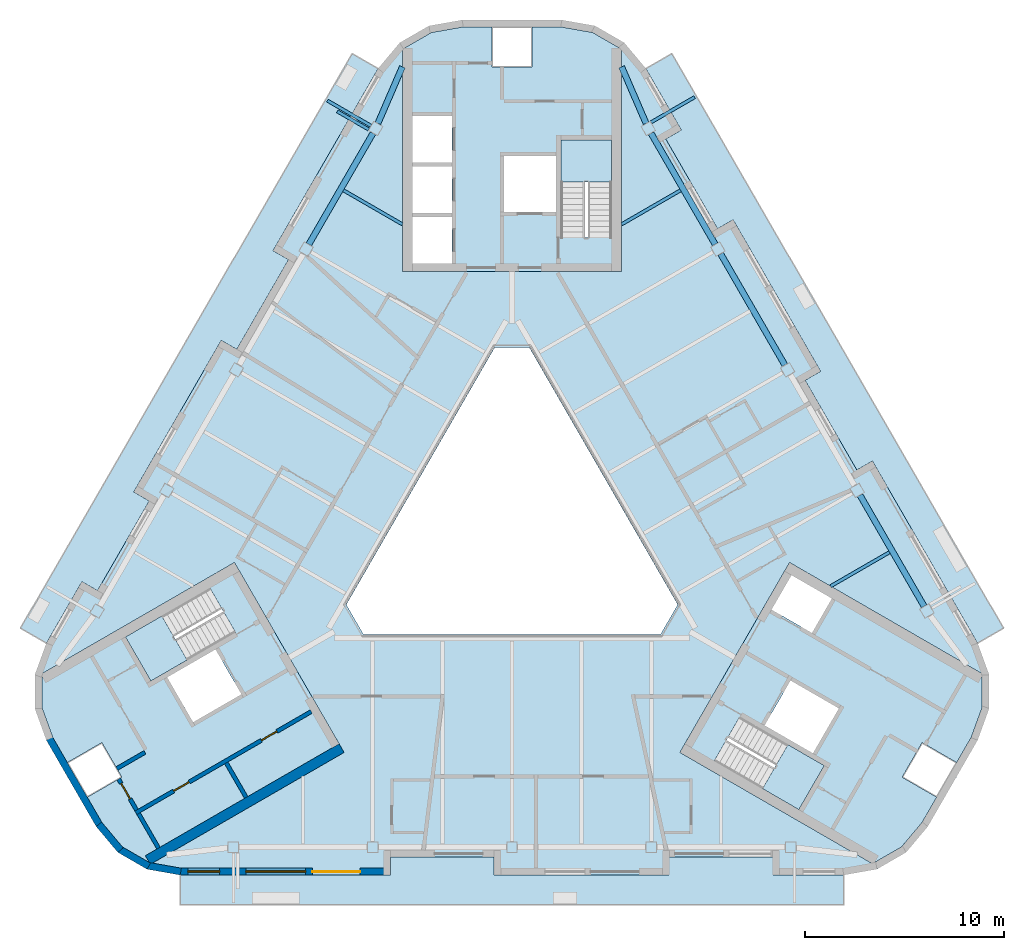
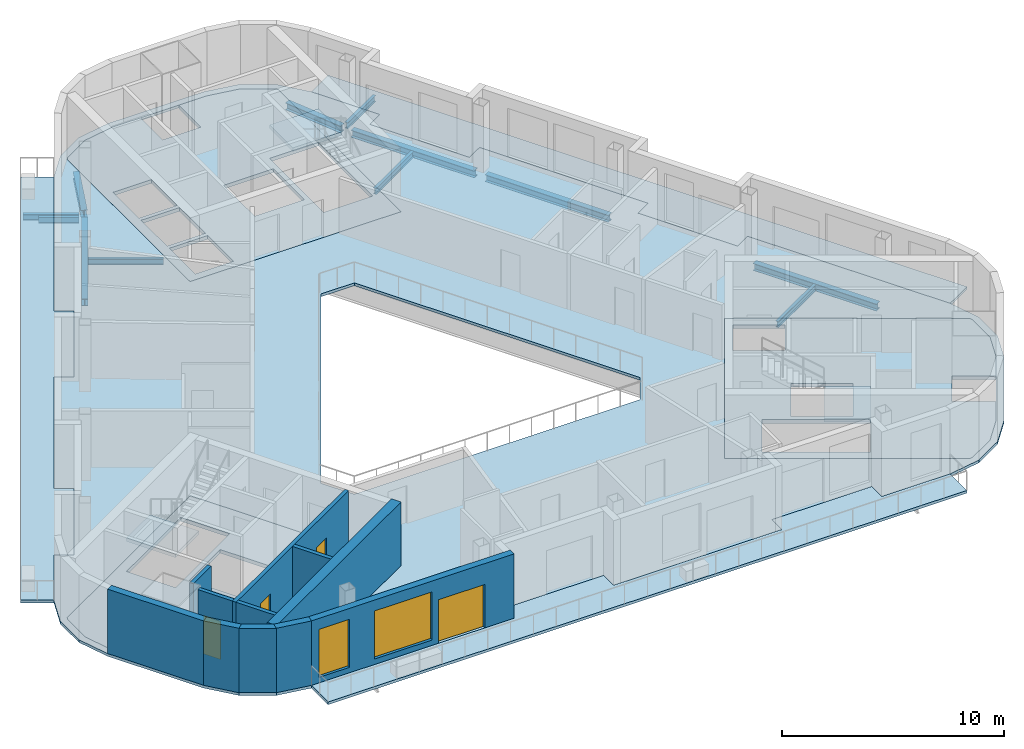
# One storey, part 2 of 12: 12 beams, 11 walls, 10 slabs, 4 doors, 2 windows, 6 openings, 3 elements without a shape of their own.
"""IFC4 building model written with IfcOpenShell, lengths in metres."""

from ifc_helpers import new_model, si_unit, direction, frame, frame_2d, origin, origin_2d, place, context, subcontext, project, spatial, polyline, rectangle, i_section, outline, extrude, material, layer, layer_set, material_profile, profile_set, type_object, element, fill, aggregate, save


model = new_model("IFC4")

# Units and contexts
model_context = context("Model", 3, precision=1e-05, world=origin(), true_north=direction((0.0, 1.0)))
body_context = subcontext(model_context, "Body", "Model", "MODEL_VIEW")
ifc_project = project(units=[si_unit("LENGTHUNIT", "METRE"), si_unit("AREAUNIT", "SQUARE_METRE"), si_unit("VOLUMEUNIT", "CUBIC_METRE"), si_unit("PLANEANGLEUNIT", "RADIAN"), si_unit("MASSUNIT", "GRAM", prefix="KILO")], contexts=[model_context])

# Site, building, storey
site_placement = place(None, origin())
site = spatial("IfcSite", under=ifc_project, at=site_placement, CompositionType="ELEMENT")
building_placement = place(site_placement, origin())
building = spatial("IfcBuilding", under=site, at=building_placement, Name="Apuvela Tower Hotel", CompositionType="ELEMENT")
storey_placement = place(building_placement, frame((0.0, 0.0, 294.800048828125)))
storey = spatial("IfcBuildingStorey", under=building, at=storey_placement, Name="L73", CompositionType="ELEMENT", Elevation=294.800048828125)

# Beams
ifc_material_1 = material(Name="Steel S355", Category="steel")
ifc_material_profile_1 = material_profile(ifc_material_1, i_section(OverallWidth=0.159912109375, OverallDepth=0.330078125, WebThickness=0.007568359375, FlangeThickness=0.011474609375, at=origin_2d()), Name="IPE 330")
ifc_profile_set_1 = profile_set([ifc_material_profile_1], Name="Steel S355")
beam_type_1 = type_object("IfcBeamType", Name="ENV-BALCONY-BEAM-IPE330", PredefinedType="BEAM", material=ifc_profile_set_1)
for number, where, z_axis, x_axis, name in (
    (1, (6.97412109375, 20.3935546875, -0.31494140625), (0.866039067339, 0.499976333282, 0.0), (-0.499976333282, 0.866039067339, 0.0), "Balcony cantilever beam NE3 L73"),
    (2, (-7.07421875, 20.220458984375, -0.31494140625), (-0.866039067339, 0.499976333282, 0.0), (-0.499976333282, -0.866039067339, 0.0), "Balcony cantilever beam NW1 L73"),
):
    element("IfcBeam", number, at=place(storey_placement, frame(where, z_axis=z_axis, x_axis=x_axis)), inside=storey, type_object=beam_type_1, Name=name, PredefinedType="BEAM", context=body_context, shape_type="SweptSolid", body=[
        extrude(i_section(OverallWidth=0.159912109375, OverallDepth=0.330078125, WebThickness=0.007568359375, FlangeThickness=0.011474609375, at=origin_2d()), origin(), (0.0, 0.0, 1.0), 2.52490234375),
    ])
beam_placement = place(storey_placement, frame((-7.18408203125, 20.02978515625, -0.31494140625), z_axis=(-0.866011828767, 0.500023511883, 0.0), x_axis=(-0.500023511883, -0.866011828767, 0.0)))
element("IfcBeam", 3, at=beam_placement, inside=storey, type_object=beam_type_1, Name="Balcony cantilever beam NW2 L73", PredefinedType="BEAM", context=body_context, shape_type="SweptSolid", body=[
    extrude(i_section(OverallWidth=0.159912109375, OverallDepth=0.330078125, WebThickness=0.007568359375, FlangeThickness=0.011474609375, at=origin_2d()), origin(), (0.0, 0.0, 1.0), 1.8251953125),
])
ifc_material_profile_2 = material_profile(ifc_material_1, i_section(OverallWidth=0.159912109375, OverallDepth=0.330078125, WebThickness=0.007568359375, FlangeThickness=0.011474609375, at=origin_2d()), Name="IPE 330")
ifc_profile_set_2 = profile_set([ifc_material_profile_2], Name="Steel S355")
beam_type_2 = type_object("IfcBeamType", Name="STR-B floor beam IPE 330", PredefinedType="BEAM", material=ifc_profile_set_2)
for number, where, z_axis, x_axis, name in (
    (4, (18.93359375, -1.170654296875, -0.31494140625), (-0.866027000698, -0.499997234054, 0.0), (0.499997234054, -0.866027000698, 0.0), "Floor beam B1 NE2"),
    (5, (8.452880859375, 16.982421875, -0.31494140625), (-0.866027000698, -0.499997234054, 0.0), (0.499997234054, -0.866027000698, 0.0), "Floor beam B1 NE8"),
    (6, (-8.452880859375, 16.982421875, -0.31494140625), (0.866027000698, -0.499997234054, 0.0), (0.499997234054, 0.866027000698, 0.0), "Floor beam B1 NW2"),
):
    element("IfcBeam", number, at=place(storey_placement, frame(where, z_axis=z_axis, x_axis=x_axis)), inside=storey, type_object=beam_type_2, Name=name, PredefinedType="BEAM", context=body_context, shape_type="SweptSolid", body=[
        extrude(i_section(OverallWidth=0.159912109375, OverallDepth=0.330078125, WebThickness=0.007568359375, FlangeThickness=0.011474609375, at=origin_2d()), origin(), (0.0, 0.0, 1.0), 3.40966796875),
    ])
ifc_material_profile_3 = material_profile(ifc_material_1, i_section(OverallWidth=0.300048828125, OverallDepth=0.389892578125, WebThickness=0.010986328125, FlangeThickness=0.01904296875, at=origin_2d()), Name="HE 400 A")
ifc_profile_set_3 = profile_set([ifc_material_profile_3], Name="Steel S355")
beam_type_3 = type_object("IfcBeamType", Name="STR-SB spandrel beam HE 400 A", PredefinedType="SPANDREL", material=ifc_profile_set_3)
for number, where, z_axis, x_axis, name in (
    (7, (20.6728515625, -3.883056640625, -0.344970703125), (-0.500022299258, 0.866012528919, 0.0), (-0.866012528919, -0.500022299258, 0.0), "Spandrel beam SB4 NE1"),
    (8, (13.685791015625, 8.218994140625, -0.344970703125), (-0.500022299258, 0.866012528919, 0.0), (-0.866012528919, -0.500022299258, 0.0), "Spandrel beam SB4 NE3"),
):
    element("IfcBeam", number, at=place(storey_placement, frame(where, z_axis=z_axis, x_axis=x_axis)), inside=storey, type_object=beam_type_3, Name=name, PredefinedType="SPANDREL", context=body_context, shape_type="SweptSolid", body=[
        extrude(i_section(OverallWidth=0.300048828125, OverallDepth=0.389892578125, WebThickness=0.010986328125, FlangeThickness=0.01904296875, at=origin_2d()), origin(), (0.0, 0.0, 1.0), 6.437255859375),
    ])
for number, where, z_axis, x_axis, name in (
    (9, (10.192138671875, 14.27001953125, -0.344970703125), (-0.499993854458, 0.866028951885, 0.0), (-0.866028951885, -0.499993854458, 0.0), "Spandrel beam SB4 NE4"),
    (10, (-6.9736328125, 19.8447265625, -0.344970703125), (-0.499993854458, -0.866028951885, 0.0), (0.866028951885, -0.499993854458, 0.0), "Spandrel beam SB4 NW1"),
):
    element("IfcBeam", number, at=place(storey_placement, frame(where, z_axis=z_axis, x_axis=x_axis)), inside=storey, type_object=beam_type_3, Name=name, PredefinedType="SPANDREL", context=body_context, shape_type="SweptSolid", body=[
        extrude(i_section(OverallWidth=0.300048828125, OverallDepth=0.389892578125, WebThickness=0.010986328125, FlangeThickness=0.01904296875, at=origin_2d()), origin(), (0.0, 0.0, 1.0), 6.43701171875),
    ])
for number, where, z_axis, x_axis, name in (
    (11, (6.726318359375, 20.3369140625, -0.344970703125), (-0.396643234527, 0.917972845189, 0.0), (-0.917972845189, -0.396643234527, 0.0), "Spandrel beam SB4 NE5-N"),
    (12, (-6.726318359375, 20.3369140625, -0.344970703125), (0.396643234527, 0.917972845189, 0.0), (-0.917972845189, 0.396643234527, 0.0), "Spandrel beam SB4 NW1-N"),
):
    element("IfcBeam", number, at=place(storey_placement, frame(where, z_axis=z_axis, x_axis=x_axis)), inside=storey, type_object=beam_type_3, Name=name, PredefinedType="SPANDREL", context=body_context, shape_type="SweptSolid", body=[
        extrude(i_section(OverallWidth=0.300048828125, OverallDepth=0.389892578125, WebThickness=0.010986328125, FlangeThickness=0.01904296875, at=origin_2d()), origin(), (0.0, 0.0, 1.0), 3.091796875),
    ])

# Slabs
ifc_material_2 = material(Name="Concrete C50/60", Category="concrete")
ifc_layer_1 = layer(ifc_material_2, 0.199951171875)
ifc_layer_set_1 = layer_set([ifc_layer_1], Name="COR-FLOOR-200")
slab_type_1 = type_object("IfcSlabType", Name="COR-FLOOR-200", PredefinedType="FLOOR", material=ifc_layer_set_1)
slab_1_placement = place(storey_placement, frame((0.0, 0.0, -0.199951171875)))
element("IfcSlab", 13, at=slab_1_placement, inside=storey, type_object=slab_type_1, Name="Core floor N", PredefinedType="FLOOR", context=body_context, shape_type="SweptSolid", body=[
    extrude(outline(polyline([(5.5, 23.99609375), (5.400390625, 24.11474609375), (4.044189453125, 24.897705078125), (2.471435546875, 25.175048828125), (1.0, 25.175048828125), (1.0, 23.175048828125), (-1.0, 23.175048828125), (-1.0, 25.175048828125), (-2.471435546875, 25.175048828125), (-4.044189453125, 24.897705078125), (-5.400390625, 24.11474609375), (-5.5, 23.99609375), (-5.5, 12.89990234375), (5.5, 12.89990234375), (5.5, 23.99609375)]), holes=[polyline([(-3.0, 13.300048828125), (-5.0, 13.300048828125), (-5.0, 15.639892578125), (-3.0, 15.639892578125), (-3.0, 13.300048828125)]), polyline([(-3.0, 15.840087890625), (-5.0, 15.840087890625), (-5.0, 18.179931640625), (-3.0, 18.179931640625), (-3.0, 15.840087890625)]), polyline([(5.0, 14.60595703125), (2.449951171875, 14.60595703125), (2.449951171875, 19.5), (5.0, 19.5), (5.0, 14.60595703125)]), polyline([(2.199951171875, 18.699951171875), (2.199951171875, 15.89990234375), (-0.39990234375, 15.89990234375), (-0.39990234375, 18.699951171875), (2.199951171875, 18.699951171875)]), polyline([(-3.0, 20.719970703125), (-3.0, 18.3798828125), (-5.0, 18.3798828125), (-5.0, 20.719970703125), (-3.0, 20.719970703125)])]), origin(), (0.0, 0.0, 1.0), 0.199951171875),
])
slab_2_placement = place(storey_placement, frame((0.0, 0.0, -0.199951171875)))
element("IfcSlab", 14, at=slab_2_placement, inside=storey, type_object=slab_type_1, Name="Core floor SW", PredefinedType="FLOOR", context=body_context, shape_type="SweptSolid", body=[
    extrude(outline(polyline([(-23.53125, -7.23486328125), (-23.584228515625, -7.38037109375), (-23.584228515625, -8.9462890625), (-23.0380859375, -10.447265625), (-22.30224609375, -11.721435546875), (-20.5703125, -10.721435546875), (-19.5703125, -12.45361328125), (-21.30224609375, -13.45361328125), (-20.56640625, -14.727783203125), (-19.539794921875, -15.951416015625), (-18.183837890625, -16.734375), (-18.03125, -16.76123046875), (-8.421630859375, -11.213134765625), (-13.921630859375, -1.68701171875), (-23.53125, -7.23486328125)]), holes=[polyline([(-13.874267578125, -5.18115234375), (-18.112548828125, -7.628173828125), (-19.387451171875, -5.419921875), (-15.149169921875, -2.972900390625), (-13.874267578125, -5.18115234375)]), polyline([(-13.56982421875, -8.29638671875), (-15.99462890625, -9.6962890625), (-17.294677734375, -7.444580078125), (-14.869873046875, -6.044677734375), (-13.56982421875, -8.29638671875)])]), origin(), (0.0, 0.0, 1.0), 0.199951171875),
])
slab_3_placement = place(storey_placement, frame((0.0, 0.0, -0.199951171875)))
element("IfcSlab", 15, at=slab_3_placement, inside=storey, type_object=slab_type_1, Name="Core floor SE", PredefinedType="FLOOR", context=body_context, shape_type="SweptSolid", body=[
    extrude(outline(polyline([(18.03125, -16.76123046875), (18.183837890625, -16.734375), (19.539794921875, -15.951416015625), (20.56640625, -14.727783203125), (21.30224609375, -13.45361328125), (19.5703125, -12.45361328125), (20.5703125, -10.721435546875), (22.30224609375, -11.721435546875), (23.0380859375, -10.447265625), (23.584228515625, -8.9462890625), (23.584228515625, -7.38037109375), (23.53125, -7.23486328125), (13.921630859375, -1.68701171875), (8.421630859375, -11.213134765625), (18.03125, -16.76123046875)]), holes=[polyline([(14.01806640625, -2.31982421875), (16.044677734375, -3.489990234375), (15.044677734375, -5.221923828125), (13.01806640625, -4.052001953125), (14.01806640625, -2.31982421875)]), polyline([(10.149169921875, -11.633056640625), (11.42431640625, -9.4248046875), (15.66259765625, -11.871826171875), (14.387451171875, -14.080078125), (10.149169921875, -11.633056640625)]), polyline([(12.669921875, -9.855224609375), (13.9697265625, -7.603515625), (16.394775390625, -9.003662109375), (15.0947265625, -11.25537109375), (12.669921875, -9.855224609375)])]), origin(), (0.0, 0.0, 1.0), 0.199951171875),
])

# Stair, slab
stair_type = type_object("IfcStairType", Name="COR-STAIR-22R", PredefinedType="HALF_TURN_STAIR", material=ifc_material_2)
stair_1_placement = place(storey_placement, origin())
stair_1 = element("IfcStair", 16, at=stair_1_placement, inside=storey, type_object=stair_type, Name="L73 Exit stair ST1", PredefinedType="HALF_TURN_STAIR")
ifc_layer_2 = layer(ifc_material_2, 0.199951171875)
ifc_layer_set_2 = layer_set([ifc_layer_2], Name="COR-LANDING-200")
slab_type_2 = type_object("IfcSlabType", Name="COR-LANDING-200", PredefinedType="LANDING", material=ifc_layer_set_2)
slab_4_placement = place(storey_placement, frame((0.0, 0.0, 1.64990234375)))
slab_4 = element("IfcSlab", 17, at=slab_4_placement, type_object=slab_type_2, Name="ST1 landing 1", PredefinedType="LANDING", context=body_context, shape_type="SweptSolid", body=[
    extrude(outline(polyline([(5.0, 17.39404296875), (5.0, 19.5), (2.449951171875, 19.5), (2.449951171875, 17.39404296875), (5.0, 17.39404296875)])), origin(), (0.0, 0.0, 1.0), 0.199951171875),
])
aggregate(stair_1, [slab_4])

stair_2_placement = place(storey_placement, origin())
stair_2 = element("IfcStair", 18, at=stair_2_placement, inside=storey, type_object=stair_type, Name="L73 Exit stair ST2", PredefinedType="HALF_TURN_STAIR")
slab_5_placement = place(storey_placement, frame((0.0, 0.0, 1.64990234375)))
slab_5 = element("IfcSlab", 19, at=slab_5_placement, type_object=slab_type_2, Name="ST2 landing 1", PredefinedType="LANDING", context=body_context, shape_type="SweptSolid", body=[
    extrude(outline(polyline([(-17.563720703125, -4.366943359375), (-19.387451171875, -5.419921875), (-18.112548828125, -7.628173828125), (-16.28857421875, -6.5751953125), (-17.563720703125, -4.366943359375)])), origin(), (0.0, 0.0, 1.0), 0.199951171875),
])
aggregate(stair_2, [slab_5])

stair_3_placement = place(storey_placement, origin())
stair_3 = element("IfcStair", 20, at=stair_3_placement, inside=storey, type_object=stair_type, Name="L73 Exit stair ST3", PredefinedType="HALF_TURN_STAIR")
slab_6_placement = place(storey_placement, frame((0.0, 0.0, 1.64990234375)))
slab_6 = element("IfcSlab", 21, at=slab_6_placement, type_object=slab_type_2, Name="ST3 landing 1", PredefinedType="LANDING", context=body_context, shape_type="SweptSolid", body=[
    extrude(outline(polyline([(12.563720703125, -13.027099609375), (14.387451171875, -14.080078125), (15.66259765625, -11.871826171875), (13.838623046875, -10.81884765625), (12.563720703125, -13.027099609375)])), origin(), (0.0, 0.0, 1.0), 0.199951171875),
])
aggregate(stair_3, [slab_6])

# Slabs
ifc_material_3 = material(Name="Concrete C40/50, fair-faced", Category="concrete")
ifc_layer_3 = layer(ifc_material_3, 0.14990234375)
ifc_layer_set_3 = layer_set([ifc_layer_3], Name="ENV-BALCONY-150")
slab_type_3 = type_object("IfcSlabType", Name="ENV-BALCONY-150", PredefinedType="FLOOR", material=ifc_layer_set_3)
slab_7_placement = place(storey_placement, frame((0.0, 0.0, -0.150146484375)))
element("IfcSlab", 22, at=slab_7_placement, inside=storey, type_object=slab_type_3, Name="Balcony slab S L73", PredefinedType="FLOOR", context=body_context, shape_type="SweptSolid", body=[
    extrude(outline(polyline([(16.646484375, -18.86669921875), (-16.646484375, -18.86669921875), (-16.646484375, -17.356689453125), (-6.092041015625, -17.356689453125), (-6.092041015625, -16.45654296875), (-0.89501953125, -16.45654296875), (-0.89501953125, -17.356689453125), (7.882080078125, -17.356689453125), (7.882080078125, -16.45654296875), (13.0791015625, -16.45654296875), (13.0791015625, -17.356689453125), (16.646484375, -17.356689453125), (16.646484375, -18.86669921875)])), origin(), (0.0, 0.0, 1.0), 0.150146484375),
])
slab_8_placement = place(storey_placement, frame((0.0, 0.0, -0.150146484375)))
element("IfcSlab", 23, at=slab_8_placement, inside=storey, type_object=slab_type_3, Name="Balcony slab NE L73", PredefinedType="FLOOR", context=body_context, shape_type="SweptSolid", body=[
    extrude(outline(polyline([(15.478759765625, 7.9033203125), (11.090087890625, 15.50439453125), (10.310791015625, 15.054443359375), (7.71240234375, 19.555419921875), (8.49169921875, 20.00537109375), (6.7080078125, 23.094482421875), (8.015625, 23.849609375), (24.662353515625, -4.98291015625), (23.3544921875, -5.738037109375), (18.077392578125, 3.40234375), (17.2978515625, 2.952392578125), (14.699462890625, 7.453369140625), (15.478759765625, 7.9033203125)])), origin(), (0.0, 0.0, 1.0), 0.150146484375),
])
slab_9_placement = place(storey_placement, frame((0.0, 0.0, -0.150146484375)))
element("IfcSlab", 24, at=slab_9_placement, inside=storey, type_object=slab_type_3, Name="Balcony slab NW L73", PredefinedType="FLOOR", context=body_context, shape_type="SweptSolid", body=[
    extrude(outline(polyline([(-24.662353515625, -4.98291015625), (-8.015625, 23.849609375), (-6.7080078125, 23.0947265625), (-11.9853515625, 13.9541015625), (-11.205810546875, 13.504150390625), (-13.804443359375, 9.00341796875), (-14.583740234375, 9.453369140625), (-18.972412109375, 1.852294921875), (-18.19287109375, 1.402099609375), (-20.79150390625, -3.0986328125), (-21.57080078125, -2.648681640625), (-23.3544921875, -5.738037109375), (-24.662353515625, -4.98291015625)])), origin(), (0.0, 0.0, 1.0), 0.150146484375),
])
ifc_material_4 = material(Name="Concrete C35/45", Category="concrete")
ifc_layer_4 = layer(ifc_material_4, 0.14990234375)
ifc_layer_set_4 = layer_set([ifc_layer_4], Name="STR-SLAB 150 floor Concrete C35/45")
slab_type_4 = type_object("IfcSlabType", Name="STR-SLAB 150 floor Concrete C35/45", PredefinedType="FLOOR", material=ifc_layer_set_4)
slab_10_placement = place(storey_placement, frame((0.0, 0.0, -0.150146484375)))
element("IfcSlab", 25, at=slab_10_placement, inside=storey, type_object=slab_type_4, Name="Floor slab S4 L73", PredefinedType="FLOOR", context=body_context, shape_type="SweptSolid", body=[
    extrude(outline(polyline([(-5.62890625, 24.386962890625), (-4.165771484375, 25.231689453125), (-2.502197265625, 25.525146484375), (2.502197265625, 25.525146484375), (4.165771484375, 25.231689453125), (5.62890625, 24.386962890625), (6.71484375, 23.0927734375), (8.49853515625, 20.00341796875), (7.718994140625, 19.553466796875), (10.3125, 15.061279296875), (11.092041015625, 15.51123046875), (15.485595703125, 7.9013671875), (14.706298828125, 7.451416015625), (17.2998046875, 2.959228515625), (18.0791015625, 3.4091796875), (23.3564453125, -5.731201171875), (23.93408203125, -7.318603515625), (23.93408203125, -9.008056640625), (23.3564453125, -10.595703125), (20.854248046875, -14.929443359375), (19.768310546875, -16.2236328125), (18.305419921875, -17.068359375), (16.6416015625, -17.361572265625), (13.07421875, -17.361572265625), (13.07421875, -16.461669921875), (7.88720703125, -16.461669921875), (7.88720703125, -17.361572265625), (-0.89990234375, -17.361572265625), (-0.89990234375, -16.461669921875), (-6.087158203125, -16.461669921875), (-6.087158203125, -17.361572265625), (-16.6416015625, -17.361572265625), (-18.305419921875, -17.068359375), (-19.768310546875, -16.2236328125), (-20.854248046875, -14.929443359375), (-23.3564453125, -10.595703125), (-23.93408203125, -9.008056640625), (-23.93408203125, -7.318603515625), (-23.3564453125, -5.731201171875), (-21.57275390625, -2.641845703125), (-20.793212890625, -3.091796875), (-18.19970703125, 1.400390625), (-18.979248046875, 1.850341796875), (-14.585693359375, 9.460205078125), (-13.80615234375, 9.01025390625), (-11.212646484375, 13.50244140625), (-11.9921875, 13.952392578125), (-6.71484375, 23.0927734375), (-5.62890625, 24.386962890625)]), holes=[polyline([(0.865966796875, 9.10009765625), (-0.865966796875, 9.10009765625), (-8.313720703125, -3.800048828125), (-7.44775390625, -5.300048828125), (7.44775390625, -5.300048828125), (8.313720703125, -3.800048828125), (0.865966796875, 9.10009765625)]), polyline([(-5.5, 12.89990234375), (-5.5, 23.99609375), (-5.400390625, 24.11474609375), (-4.044189453125, 24.897705078125), (-2.471435546875, 25.175048828125), (2.471435546875, 25.175048828125), (4.044189453125, 24.897705078125), (5.400390625, 24.11474609375), (5.5, 23.99609375), (5.5, 12.89990234375), (-5.5, 12.89990234375)]), polyline([(-8.421630859375, -11.213134765625), (-18.03125, -16.76123046875), (-18.183837890625, -16.734375), (-19.539794921875, -15.951416015625), (-20.56640625, -14.727783203125), (-23.0380859375, -10.447265625), (-23.584228515625, -8.9462890625), (-23.584228515625, -7.38037109375), (-23.53125, -7.23486328125), (-13.921630859375, -1.68701171875), (-8.421630859375, -11.213134765625)]), polyline([(13.921630859375, -1.68701171875), (23.53125, -7.23486328125), (23.584228515625, -7.38037109375), (23.584228515625, -8.9462890625), (23.0380859375, -10.447265625), (20.56640625, -14.727783203125), (19.539794921875, -15.951416015625), (18.183837890625, -16.734375), (18.03125, -16.76123046875), (8.421630859375, -11.213134765625), (13.921630859375, -1.68701171875)])]), origin(), (0.0, 0.0, 1.0), 0.150146484375),
])

# Wall
ifc_layer_5 = layer(ifc_material_2, 0.5)
ifc_layer_set_5 = layer_set([ifc_layer_5], Name="COR-WALL-CORE-500")
wall_type_1 = type_object("IfcWallType", Name="COR-WALL-CORE-500", PredefinedType="SHEAR", material=ifc_layer_set_5)
wall_1_placement = place(storey_placement, frame((-8.546630859375, -10.99658203125, 0.0), z_axis=(0.0, 0.0, 1.0), x_axis=(-0.866025449148, -0.499999921427, 0.0)))
element("IfcWall", 26, at=wall_1_placement, inside=storey, type_object=wall_type_1, Name="Core wall SW", PredefinedType="SHEAR", context=body_context, shape_type="SweptSolid", body=[
    extrude(rectangle(XDim=11.2216796875, YDim=0.5, at=frame_2d((5.61083984375, 0.0))), origin(), (0.0, 0.0, 1.0), 3.5),
])

# Wall, openings, doors
ifc_layer_6 = layer(ifc_material_2, 0.199951171875)
ifc_layer_set_6 = layer_set([ifc_layer_6], Name="COR-WALL-SHAFT-200")
wall_type_2 = type_object("IfcWallType", Name="COR-WALL-SHAFT-200", PredefinedType="SHEAR", material=ifc_layer_set_6)
wall_2_placement = place(storey_placement, frame((-10.068115234375, -9.16162109375, 0.0), z_axis=(0.0, 0.0, 1.0), x_axis=(-0.866032725843, -0.499987317609, 0.0)))
wall_2 = element("IfcWall", 27, at=wall_2_placement, inside=storey, type_object=wall_type_2, Name="Shaft wall SW", PredefinedType="SHEAR", context=body_context, shape_type="SweptSolid", body=[
    extrude(rectangle(XDim=10.159912109375, YDim=0.199951171875, at=frame_2d((5.080078125, 0.0))), origin(), (0.0, 0.0, 1.0), 3.5),
])
opening_1_placement = place(wall_2_placement, frame((1.989990234375, 0.0, 0.0)))
opening_1 = element("IfcOpeningElement", 28, at=opening_1_placement, cuts=wall_2, Name="Opening W-RE1", PredefinedType="OPENING", context=body_context, shape_type="SweptSolid", body=[
    extrude(rectangle(XDim=0.89990234375, YDim=2.10009765625, at=frame_2d((0.449951171875, 1.050048828125))), frame((0.0, 0.10986328125, 0.0), z_axis=(0.0, -1.0, 0.0), x_axis=(1.0, 0.0, 0.0)), (0.0, 0.0, 1.0), 0.219970703125),
])
opening_2_placement = place(wall_2_placement, frame((7.070068359375, 0.0, 0.0)))
opening_2 = element("IfcOpeningElement", 29, at=opening_2_placement, cuts=wall_2, Name="Opening W-RE3", PredefinedType="OPENING", context=body_context, shape_type="SweptSolid", body=[
    extrude(rectangle(XDim=0.89990234375, YDim=2.10009765625, at=frame_2d((0.449951171875, 1.050048828125))), frame((0.0, 0.10986328125, 0.0), z_axis=(0.0, -1.0, 0.0), x_axis=(1.0, 0.0, 0.0)), (0.0, 0.0, 1.0), 0.219970703125),
])
ifc_material_5 = material(Name="Steel fire door, powder coated", Category="steel")
door_type_1 = type_object("IfcDoorType", Name="COR-DR-900", OperationType="NOTDEFINED", PredefinedType="DOOR", material=ifc_material_5)
door_1_placement = place(opening_1_placement, origin())
door_1 = element("IfcDoor", 30, at=door_1_placement, inside=storey, type_object=door_type_1, Name="Store door W-RE1", OperationType="SINGLE_SWING_LEFT", OverallHeight=2.10009765625, OverallWidth=0.89990234375, PredefinedType="DOOR", context=body_context, shape_type="SweptSolid", body=[
    extrude(rectangle(XDim=0.89990234375, YDim=2.10009765625, at=frame_2d((0.449951171875, 1.050048828125))), frame((0.0, 0.02490234375, 0.0), z_axis=(0.0, -1.0, 0.0), x_axis=(1.0, 0.0, 0.0)), (0.0, 0.0, 1.0), 0.050048828125),
])
fill(opening_1, door_1)
door_2_placement = place(opening_2_placement, origin())
door_2 = element("IfcDoor", 31, at=door_2_placement, inside=storey, type_object=door_type_1, Name="Store door W-RE3", OperationType="SINGLE_SWING_LEFT", OverallHeight=2.10009765625, OverallWidth=0.89990234375, PredefinedType="DOOR", context=body_context, shape_type="SweptSolid", body=[
    extrude(rectangle(XDim=0.89990234375, YDim=2.10009765625, at=frame_2d((0.449951171875, 1.050048828125))), frame((0.0, 0.02490234375, 0.0), z_axis=(0.0, -1.0, 0.0), x_axis=(1.0, 0.0, 0.0)), (0.0, 0.0, 1.0), 0.050048828125),
])
fill(opening_2, door_2)

# Wall, opening, door
wall_3_placement = place(storey_placement, frame((-19.73046875, -12.5458984375, 0.0), z_axis=(0.0, 0.0, 1.0), x_axis=(0.500004188491, -0.866022985545, 0.0)))
wall_3 = element("IfcWall", 32, at=wall_3_placement, inside=storey, type_object=wall_type_2, Name="Shaft wall SW", PredefinedType="SHEAR", context=body_context, shape_type="SweptSolid", body=[
    extrude(rectangle(XDim=1.80029296875, YDim=0.199951171875, at=frame_2d((0.900146484375, 0.0))), origin(), (0.0, 0.0, 1.0), 3.5),
])
opening_3_placement = place(wall_3_placement, frame((0.25, 0.0, 0.0)))
opening_3 = element("IfcOpeningElement", 33, at=opening_3_placement, cuts=wall_3, Name="Opening W-REP", PredefinedType="OPENING", context=body_context, shape_type="SweptSolid", body=[
    extrude(rectangle(XDim=0.89990234375, YDim=2.10009765625, at=frame_2d((0.449951171875, 1.050048828125))), frame((0.0, 0.10986328125, 0.0), z_axis=(0.0, -1.0, 0.0), x_axis=(1.0, 0.0, 0.0)), (0.0, 0.0, 1.0), 0.219970703125),
])
door_3_placement = place(opening_3_placement, frame((0.89990234375, 0.0, 0.0), z_axis=(0.0, 0.0, 1.0), x_axis=(-1.0, 0.0, 0.0)))
door_3 = element("IfcDoor", 34, at=door_3_placement, inside=storey, type_object=door_type_1, Name="Store door W-REP", OperationType="SINGLE_SWING_LEFT", OverallHeight=2.10009765625, OverallWidth=0.89990234375, PredefinedType="DOOR", context=body_context, shape_type="SweptSolid", body=[
    extrude(rectangle(XDim=0.89990234375, YDim=2.10009765625, at=frame_2d((0.449951171875, 1.050048828125))), frame((0.0, 0.02490234375, 0.0), z_axis=(0.0, -1.0, 0.0), x_axis=(1.0, 0.0, 0.0)), (0.0, 0.0, 1.0), 0.050048828125),
])
fill(opening_3, door_3)

# Walls
wall_4_placement = place(storey_placement, frame((-18.412841796875, -11.2080078125, 0.0), z_axis=(0.0, 0.0, 1.0), x_axis=(-0.866053003207, -0.499952193351, 0.0)))
element("IfcWall", 35, at=wall_4_placement, inside=storey, type_object=wall_type_2, Name="Shaft wall SW", PredefinedType="SHEAR", context=body_context, shape_type="SweptSolid", body=[
    extrude(rectangle(XDim=1.625244140625, YDim=0.199951171875, at=frame_2d((0.8125, 0.0))), origin(), (0.0, 0.0, 1.0), 3.5),
])
for number, where, z_axis, x_axis, name in (
    (36, (-14.330810546875, -11.738037109375, 0.0), (0.0, 0.0, 1.0), (0.499972520799, -0.866041268327, 0.0), "Shaft wall SW"),
    (37, (-18.73046875, -14.278076171875, 0.0), (0.0, 0.0, 1.0), (0.50002537861, -0.866010750942, 0.0), "Shaft wall SW"),
):
    element("IfcWall", number, at=place(storey_placement, frame(where, z_axis=z_axis, x_axis=x_axis)), inside=storey, type_object=wall_type_2, Name=name, PredefinedType="SHEAR", context=body_context, shape_type="SweptSolid", body=[
        extrude(rectangle(XDim=2.0, YDim=0.199951171875, at=frame_2d((1.0, 0.0))), origin(), (0.0, 0.0, 1.0), 3.5),
    ])
ifc_material_6 = material(Name="Concrete C40/50, dark pigmented precast panel", Category="concrete")
ifc_layer_7 = layer(ifc_material_6, 0.35009765625)
ifc_layer_set_7 = layer_set([ifc_layer_7], Name="ENV-WALL-350")
wall_type_3 = type_object("IfcWallType", Name="ENV-WALL-350", PredefinedType="SOLIDWALL", material=ifc_layer_set_7)
wall_5_placement = place(storey_placement, frame((-23.204833984375, -10.508056640625, 0.0), z_axis=(0.0, 0.0, 1.0), x_axis=(0.500016662025, -0.866015783746, 0.0)))
element("IfcWall", 38, at=wall_5_placement, inside=storey, type_object=wall_type_3, Name="External wall L73-13", PredefinedType="SOLIDWALL", context=body_context, shape_type="SweptSolid", body=[
    extrude(rectangle(XDim=5.004150390625, YDim=0.35009765625, at=frame_2d((2.501953125, 0.0))), origin(), (0.0, 0.0, 1.0), 3.550048828125),
])
wall_6_placement = place(storey_placement, frame((-20.72021484375, -14.81689453125, 0.0), z_axis=(0.0, 0.0, 1.0), x_axis=(0.642697100627, -0.766120380127, 0.0)))
element("IfcWall", 39, at=wall_6_placement, inside=storey, type_object=wall_type_3, Name="External wall L73-14", PredefinedType="SOLIDWALL", context=body_context, shape_type="SweptSolid", body=[
    extrude(rectangle(XDim=1.689208984375, YDim=0.35009765625, at=frame_2d((0.8447265625, 0.0))), origin(), (0.0, 0.0, 1.0), 3.550048828125),
])
for number, where, z_axis, x_axis, name in (
    (40, (-19.680908203125, -16.072021484375, 0.0), (0.0, 0.0, 1.0), (0.866029168372, -0.499993479487, 0.0), "External wall L73-15"),
    (41, (-18.27490234375, -16.89599609375, 0.0), (0.0, 0.0, 1.0), (0.984824265658, -0.17355450375, 0.0), "External wall L73-16"),
):
    element("IfcWall", number, at=place(storey_placement, frame(where, z_axis=z_axis, x_axis=x_axis)), inside=storey, type_object=wall_type_3, Name=name, PredefinedType="SOLIDWALL", context=body_context, shape_type="SweptSolid", body=[
        extrude(rectangle(XDim=1.689453125, YDim=0.35009765625, at=frame_2d((0.8447265625, 0.0))), origin(), (0.0, 0.0, 1.0), 3.550048828125),
    ])

# Wall, openings, door, windows
wall_7_placement = place(storey_placement, frame((-16.6416015625, -17.1865234375, 0.0), z_axis=(0.0, 0.0, 1.0), x_axis=(1.0, 0.0, 0.0)))
wall_7 = element("IfcWall", 42, at=wall_7_placement, inside=storey, type_object=wall_type_3, Name="External wall L73-17", PredefinedType="SOLIDWALL", context=body_context, shape_type="SweptSolid", body=[
    extrude(rectangle(XDim=10.554443359375, YDim=0.35009765625, at=frame_2d((5.27734375, 0.0))), origin(), (0.0, 0.0, 1.0), 3.550048828125),
])
opening_4_placement = place(wall_7_placement, frame((0.38037109375, 0.0, 0.300048828125)))
opening_4 = element("IfcOpeningElement", 43, at=opening_4_placement, cuts=wall_7, Name="Opening WN16", PredefinedType="OPENING", context=body_context, shape_type="SweptSolid", body=[
    extrude(rectangle(XDim=1.60009765625, YDim=2.64990234375, at=frame_2d((0.800048828125, 1.324951171875))), frame((0.0, 0.18505859375, 0.0), z_axis=(0.0, -1.0, 0.0), x_axis=(1.0, 0.0, 0.0)), (0.0, 0.0, 1.0), 0.3701171875),
])
opening_5_placement = place(wall_7_placement, frame((6.6298828125, 0.0, 0.0)))
opening_5 = element("IfcOpeningElement", 44, at=opening_5_placement, cuts=wall_7, Name="Opening BD24", PredefinedType="OPENING", context=body_context, shape_type="SweptSolid", body=[
    extrude(rectangle(XDim=2.39990234375, YDim=2.39990234375, at=frame_2d((1.199951171875, 1.199951171875))), frame((0.0, 0.18505859375, 0.0), z_axis=(0.0, -1.0, 0.0), x_axis=(1.0, 0.0, 0.0)), (0.0, 0.0, 1.0), 0.3701171875),
])
opening_6_placement = place(wall_7_placement, frame((3.29248046875, 0.0, 0.300048828125)))
opening_6 = element("IfcOpeningElement", 45, at=opening_6_placement, cuts=wall_7, Name="Opening WN30", PredefinedType="OPENING", context=body_context, shape_type="SweptSolid", body=[
    extrude(rectangle(XDim=3.0, YDim=2.64990234375, at=frame_2d((1.5, 1.324951171875))), frame((0.0, 0.18505859375, 0.0), z_axis=(0.0, -1.0, 0.0), x_axis=(1.0, 0.0, 0.0)), (0.0, 0.0, 1.0), 0.3701171875),
])
ifc_material_7 = material(Name="Aluminium 6063-T6, dark bronze anodised frame with dark tinted laminated glass", Category="aluminium")
door_type_2 = type_object("IfcDoorType", Name="ENV-DOOR-BALCONY-2400x2400", OperationType="SLIDING_TO_LEFT", PredefinedType="DOOR", material=ifc_material_7)
door_4_placement = place(opening_5_placement, frame((2.39990234375, 0.0, 0.0), z_axis=(0.0, 0.0, 1.0), x_axis=(-1.0, 0.0, 0.0)))
door_4 = element("IfcDoor", 46, at=door_4_placement, inside=storey, type_object=door_type_2, Name="Balcony door BD24", OperationType="SLIDING_TO_LEFT", OverallHeight=2.39990234375, OverallWidth=2.39990234375, PredefinedType="DOOR", context=body_context, shape_type="SweptSolid", body=[
    extrude(rectangle(XDim=2.39990234375, YDim=2.39990234375, at=frame_2d((1.199951171875, 1.199951171875))), frame((0.0, 0.02490234375, 0.0), z_axis=(0.0, -1.0, 0.0), x_axis=(1.0, 0.0, 0.0)), (0.0, 0.0, 1.0), 0.050048828125),
])
fill(opening_5, door_4)
ifc_material_8 = material(Name="Glass, dark tinted laminated insulated glazing unit", Category="glass")
window_type_1 = type_object("IfcWindowType", Name="ENV-WIN-1600x2650", PartitioningType="SINGLE_PANEL", PredefinedType="WINDOW", material=ifc_material_8)
window_1_placement = place(opening_4_placement, origin())
window_1 = element("IfcWindow", 47, at=window_1_placement, inside=storey, type_object=window_type_1, Name="Window WN16", OverallHeight=2.64990234375, OverallWidth=1.60009765625, PartitioningType="SINGLE_PANEL", PredefinedType="WINDOW", context=body_context, shape_type="SweptSolid", body=[
    extrude(rectangle(XDim=1.60009765625, YDim=2.64990234375, at=frame_2d((0.800048828125, 1.324951171875))), frame((0.0, 0.030029296875, 0.0), z_axis=(0.0, -1.0, 0.0), x_axis=(1.0, 0.0, 0.0)), (0.0, 0.0, 1.0), 0.06005859375),
])
fill(opening_4, window_1)
window_type_2 = type_object("IfcWindowType", Name="ENV-WIN-3000x2650", PartitioningType="SINGLE_PANEL", PredefinedType="WINDOW", material=ifc_material_8)
window_2_placement = place(opening_6_placement, origin())
window_2 = element("IfcWindow", 48, at=window_2_placement, inside=storey, type_object=window_type_2, Name="Window WN30", OverallHeight=2.64990234375, OverallWidth=3.0, PartitioningType="SINGLE_PANEL", PredefinedType="WINDOW", context=body_context, shape_type="SweptSolid", body=[
    extrude(rectangle(XDim=3.0, YDim=2.64990234375, at=frame_2d((1.5, 1.324951171875))), frame((0.0, 0.030029296875, 0.0), z_axis=(0.0, -1.0, 0.0), x_axis=(1.0, 0.0, 0.0)), (0.0, 0.0, 1.0), 0.06005859375),
])
fill(opening_6, window_2)

save(model, "model.ifc")
